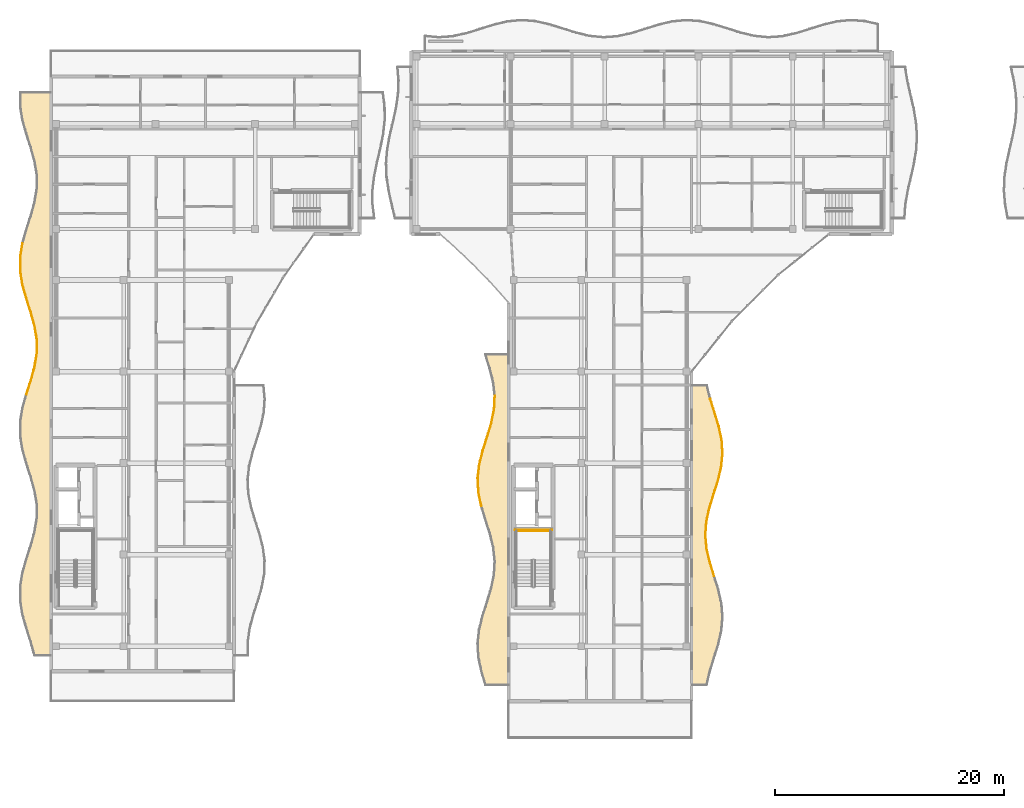
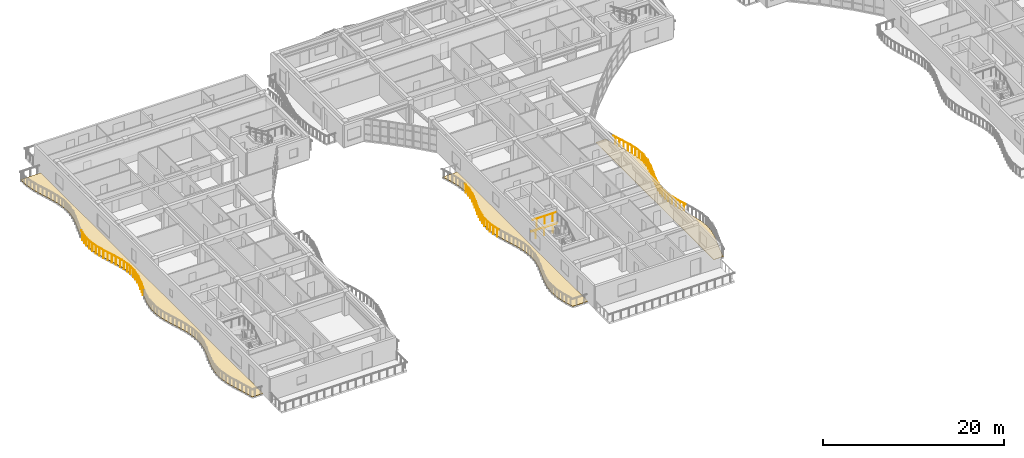
# One storey, part 51 of 71: 34 railings, 3 coverings.
"""IFC4 building model written with IfcOpenShell, lengths in metres."""

from ifc_helpers import new_model, si_unit, direction, frame, origin, origin_2d, place, context, subcontext, project, spatial, polyline, circle, outline, extrude, material, layer, layer_set, type_object, element, save


model = new_model("IFC4")

# Units and contexts
model_context = context("Model", 3, precision=1e-05, world=origin(), true_north=direction((0.0, 1.0)))
body_context = subcontext(model_context, "Body", "Model", "MODEL_VIEW")
ifc_project = project(units=[si_unit("LENGTHUNIT", "METRE"), si_unit("AREAUNIT", "SQUARE_METRE"), si_unit("VOLUMEUNIT", "CUBIC_METRE"), si_unit("PLANEANGLEUNIT", "RADIAN"), si_unit("MASSUNIT", "GRAM", prefix="KILO")], contexts=[model_context])

# Site, building, storey
site_placement = place(None, origin())
site = spatial("IfcSite", under=ifc_project, at=site_placement, CompositionType="ELEMENT")
building_placement = place(site_placement, origin())
building = spatial("IfcBuilding", under=site, at=building_placement, Name="Keldmere Railside Commons", CompositionType="ELEMENT")
storey_placement = place(building_placement, frame((0.0, 0.0, 20.159912109375)))
storey = spatial("IfcBuildingStorey", under=building, at=storey_placement, Name="L06", CompositionType="ELEMENT", Elevation=20.159912109375)

# Railings
ifc_material_1 = material(Name="Steel F-24 (S235)", Category="steel")
railing_type_1 = type_object("IfcRailingType", Name="Balcony & Terrace Steel Balustrade 1100", PredefinedType="BALUSTRADE", material=ifc_material_1)
railing_1_placement = place(storey_placement, frame((5.857421875, 86.0, 0.0)))
element("IfcRailing", 1, at=railing_1_placement, inside=storey, type_object=railing_type_1, Name="GR-1 GRD-L06-0654", PredefinedType="BALUSTRADE", context=body_context, shape_type="SweptSolid", body=[
    extrude(circle(Radius=0.02392578125, at=origin_2d()), frame((0.0, 0.0, 1.076171875), z_axis=(0.307794514865, 0.9514528557, 0.0), x_axis=(-0.9514528557, 0.307794514865, 0.0)), (0.0, 0.0, 1.0), 1.26123046875),
    extrude(circle(Radius=0.02099609375, at=origin_2d()), frame((0.09716796875, 0.300048828125, 0.0)), (0.0, 0.0, 1.0), 1.048095703125),
    extrude(circle(Radius=0.02099609375, at=origin_2d()), frame((0.291015625, 0.89990234375, 0.0)), (0.0, 0.0, 1.0), 1.048095703125),
])
railing_2_placement = place(storey_placement, frame((6.24560546875, 87.199951171875, 0.0)))
element("IfcRailing", 2, at=railing_2_placement, inside=storey, type_object=railing_type_1, Name="GR-1 GRD-L06-0655", PredefinedType="BALUSTRADE", context=body_context, shape_type="SweptSolid", body=[
    extrude(circle(Radius=0.02392578125, at=origin_2d()), frame((0.0, 0.0, 1.076171875), z_axis=(0.269593588983, 0.962974193205, 0.0), x_axis=(-0.962974193205, 0.269593588983, 0.0)), (0.0, 0.0, 1.0), 1.24609375),
    extrude(circle(Radius=0.02099609375, at=origin_2d()), frame((0.083984375, 0.300048828125, 0.0)), (0.0, 0.0, 1.0), 1.048095703125),
    extrude(circle(Radius=0.02099609375, at=origin_2d()), frame((0.251953125, 0.89990234375, 0.0)), (0.0, 0.0, 1.0), 1.048095703125),
])
railing_3_placement = place(storey_placement, frame((6.58154296875, 88.39990234375, 0.0)))
element("IfcRailing", 3, at=railing_3_placement, inside=storey, type_object=railing_type_1, Name="GR-1 GRD-L06-0656", PredefinedType="BALUSTRADE", context=body_context, shape_type="SweptSolid", body=[
    extrude(circle(Radius=0.02392578125, at=origin_2d()), frame((0.0, 0.0, 1.076171875), z_axis=(0.159055642602, 0.987269619991, 0.0), x_axis=(-0.987269619991, 0.159055642602, 0.0)), (0.0, 0.0, 1.0), 1.215576171875),
    extrude(circle(Radius=0.02099609375, at=origin_2d()), frame((0.04833984375, 0.300048828125, 0.0)), (0.0, 0.0, 1.0), 1.048095703125),
    extrude(circle(Radius=0.02099609375, at=origin_2d()), frame((0.14501953125, 0.900146484375, 0.0)), (0.0, 0.0, 1.0), 1.048095703125),
])
railing_4_placement = place(storey_placement, frame((6.77490234375, 89.60009765625, 0.0)))
element("IfcRailing", 4, at=railing_4_placement, inside=storey, type_object=railing_type_1, Name="GR-1 GRD-L06-0657", PredefinedType="BALUSTRADE", context=body_context, shape_type="SweptSolid", body=[
    extrude(circle(Radius=0.02392578125, at=origin_2d()), frame((0.0, 0.0, 1.076171875), z_axis=(-0.000813834929, 0.999999668836, 0.0), x_axis=(-0.999999668836, -0.000813834929, 0.0)), (0.0, 0.0, 1.0), 1.199951171875),
    extrude(circle(Radius=0.02099609375, at=origin_2d()), frame((-0.000244140625, 0.300048828125, 0.0)), (0.0, 0.0, 1.0), 1.048095703125),
    extrude(circle(Radius=0.02099609375, at=origin_2d()), frame((-0.000732421875, 0.89990234375, 0.0)), (0.0, 0.0, 1.0), 1.048095703125),
])
railing_5_placement = place(storey_placement, frame((6.77392578125, 90.800048828125, 0.0)))
element("IfcRailing", 5, at=railing_5_placement, inside=storey, type_object=railing_type_1, Name="GR-1 GRD-L06-0658", PredefinedType="BALUSTRADE", context=body_context, shape_type="SweptSolid", body=[
    extrude(circle(Radius=0.02392578125, at=origin_2d()), frame((0.0, 0.0, 1.076171875), z_axis=(-0.160261550054, 0.987074584606, 0.0), x_axis=(-0.987074584606, -0.160261550054, 0.0)), (0.0, 0.0, 1.0), 1.215576171875),
    extrude(circle(Radius=0.02099609375, at=origin_2d()), frame((-0.048828125, 0.300048828125, 0.0)), (0.0, 0.0, 1.0), 1.048095703125),
    extrude(circle(Radius=0.02099609375, at=origin_2d()), frame((-0.14599609375, 0.89990234375, 0.0)), (0.0, 0.0, 1.0), 1.048095703125),
])
railing_6_placement = place(storey_placement, frame((6.5791015625, 92.0, 0.0)))
element("IfcRailing", 6, at=railing_6_placement, inside=storey, type_object=railing_type_1, Name="GR-1 GRD-L06-0659", PredefinedType="BALUSTRADE", context=body_context, shape_type="SweptSolid", body=[
    extrude(circle(Radius=0.02392578125, at=origin_2d()), frame((0.0, 0.0, 1.076171875), z_axis=(-0.270138516063, 0.962821469505, 0.0), x_axis=(-0.962821469505, -0.270138516063, 0.0)), (0.0, 0.0, 1.0), 1.246337890625),
    extrude(circle(Radius=0.02099609375, at=origin_2d()), frame((-0.084228515625, 0.300048828125, 0.0)), (0.0, 0.0, 1.0), 1.048095703125),
    extrude(circle(Radius=0.02099609375, at=origin_2d()), frame((-0.25244140625, 0.89990234375, 0.0)), (0.0, 0.0, 1.0), 1.048095703125),
])
railing_7_placement = place(storey_placement, frame((6.242431640625, 93.199951171875, 0.0)))
element("IfcRailing", 7, at=railing_7_placement, inside=storey, type_object=railing_type_1, Name="GR-1 GRD-L06-0660", PredefinedType="BALUSTRADE", context=body_context, shape_type="SweptSolid", body=[
    extrude(circle(Radius=0.02392578125, at=origin_2d()), frame((0.0, 0.0, 1.076171875), z_axis=(-0.307794514865, 0.9514528557, 0.0), x_axis=(-0.9514528557, -0.307794514865, 0.0)), (0.0, 0.0, 1.0), 1.26123046875),
    extrude(circle(Radius=0.02099609375, at=origin_2d()), frame((-0.09716796875, 0.300048828125, 0.0)), (0.0, 0.0, 1.0), 1.048095703125),
    extrude(circle(Radius=0.02099609375, at=origin_2d()), frame((-0.291015625, 0.89990234375, 0.0)), (0.0, 0.0, 1.0), 1.048095703125),
])
railing_8_placement = place(storey_placement, frame((5.854248046875, 94.39990234375, 0.0)))
element("IfcRailing", 8, at=railing_8_placement, inside=storey, type_object=railing_type_1, Name="GR-1 GRD-L06-0661", PredefinedType="BALUSTRADE", context=body_context, shape_type="SweptSolid", body=[
    extrude(circle(Radius=0.02392578125, at=origin_2d()), frame((0.0, 0.0, 1.076171875), z_axis=(-0.269361062588, 0.963039260862, 0.0), x_axis=(-0.963039260862, -0.269361062588, 0.0)), (0.0, 0.0, 1.0), 1.246337890625),
    extrude(circle(Radius=0.02099609375, at=origin_2d()), frame((-0.083984375, 0.300048828125, 0.0)), (0.0, 0.0, 1.0), 1.048095703125),
    extrude(circle(Radius=0.02099609375, at=origin_2d()), frame((-0.251708984375, 0.900146484375, 0.0)), (0.0, 0.0, 1.0), 1.048095703125),
])
railing_9_placement = place(storey_placement, frame((5.5185546875, 95.60009765625, 0.0)))
element("IfcRailing", 9, at=railing_9_placement, inside=storey, type_object=railing_type_1, Name="GR-1 GRD-L06-0662", PredefinedType="BALUSTRADE", context=body_context, shape_type="SweptSolid", body=[
    extrude(circle(Radius=0.02392578125, at=origin_2d()), frame((0.0, 0.0, 1.076171875), z_axis=(-0.159087184931, 0.987264537797, 0.0), x_axis=(-0.987264537797, -0.159087184931, 0.0)), (0.0, 0.0, 1.0), 1.21533203125),
    extrude(circle(Radius=0.02099609375, at=origin_2d()), frame((-0.04833984375, 0.300048828125, 0.0)), (0.0, 0.0, 1.0), 1.048095703125),
    extrude(circle(Radius=0.02099609375, at=origin_2d()), frame((-0.14501953125, 0.89990234375, 0.0)), (0.0, 0.0, 1.0), 1.048095703125),
])
railing_10_placement = place(storey_placement, frame((5.3251953125, 96.800048828125, 0.0)))
element("IfcRailing", 10, at=railing_10_placement, inside=storey, type_object=railing_type_1, Name="GR-1 GRD-L06-0663", PredefinedType="BALUSTRADE", context=body_context, shape_type="SweptSolid", body=[
    extrude(circle(Radius=0.02392578125, at=origin_2d()), frame((0.0, 0.0, 1.076171875), z_axis=(0.000610376285, 0.99999981372, 0.0), x_axis=(-0.99999981372, 0.000610376285, 0.0)), (0.0, 0.0, 1.0), 1.199951171875),
    extrude(circle(Radius=0.02099609375, at=origin_2d()), frame((0.000244140625, 0.300048828125, 0.0)), (0.0, 0.0, 1.0), 1.048095703125),
    extrude(circle(Radius=0.02099609375, at=origin_2d()), frame((0.00048828125, 0.89990234375, 0.0)), (0.0, 0.0, 1.0), 1.048095703125),
])
railing_11_placement = place(storey_placement, frame((5.325927734375, 98.0, 0.0)))
element("IfcRailing", 11, at=railing_11_placement, inside=storey, type_object=railing_type_1, Name="GR-1 GRD-L06-0664", PredefinedType="BALUSTRADE", context=body_context, shape_type="SweptSolid", body=[
    extrude(circle(Radius=0.02392578125, at=origin_2d()), frame((0.0, 0.0, 1.076171875), z_axis=(0.160261550054, 0.987074584606, 0.0), x_axis=(-0.987074584606, 0.160261550054, 0.0)), (0.0, 0.0, 1.0), 1.215576171875),
    extrude(circle(Radius=0.02099609375, at=origin_2d()), frame((0.048828125, 0.300048828125, 0.0)), (0.0, 0.0, 1.0), 1.048095703125),
    extrude(circle(Radius=0.02099609375, at=origin_2d()), frame((0.14599609375, 0.89990234375, 0.0)), (0.0, 0.0, 1.0), 1.048095703125),
])
railing_12_placement = place(storey_placement, frame((65.96337890625, 70.127197265625, 0.0)))
element("IfcRailing", 12, at=railing_12_placement, inside=storey, type_object=railing_type_1, Name="GR-1 GRD-L06-1479", PredefinedType="BALUSTRADE", context=body_context, shape_type="SweptSolid", body=[
    extrude(circle(Radius=0.02392578125, at=origin_2d()), frame((0.0, 0.0, 1.076171875), z_axis=(-0.29981134037, 0.953998511627, 0.0), x_axis=(-0.953998511627, -0.29981134037, 0.0)), (0.0, 0.0, 1.0), 1.248291015625),
    extrude(circle(Radius=0.02099609375, at=origin_2d()), frame((-0.093505859375, 0.2978515625, 0.0)), (0.0, 0.0, 1.0), 1.048095703125),
    extrude(circle(Radius=0.02099609375, at=origin_2d()), frame((-0.28076171875, 0.89306640625, 0.0)), (0.0, 0.0, 1.0), 1.048095703125),
])
railing_13_placement = place(storey_placement, frame((65.589111328125, 71.318115234375, 0.0)))
element("IfcRailing", 13, at=railing_13_placement, inside=storey, type_object=railing_type_1, Name="GR-1 GRD-L06-1480", PredefinedType="BALUSTRADE", context=body_context, shape_type="SweptSolid", body=[
    extrude(circle(Radius=0.02392578125, at=origin_2d()), frame((0.0, 0.0, 1.076171875), z_axis=(-0.227948888744, 0.973673099207, 0.0), x_axis=(-0.973673099207, -0.227948888744, 0.0)), (0.0, 0.0, 1.0), 1.22314453125),
    extrude(circle(Radius=0.02099609375, at=origin_2d()), frame((-0.06982421875, 0.2978515625, 0.0)), (0.0, 0.0, 1.0), 1.048095703125),
    extrude(circle(Radius=0.02099609375, at=origin_2d()), frame((-0.208984375, 0.89306640625, 0.0)), (0.0, 0.0, 1.0), 1.048095703125),
])
railing_14_placement = place(storey_placement, frame((65.310302734375, 72.509033203125, 0.0)))
element("IfcRailing", 14, at=railing_14_placement, inside=storey, type_object=railing_type_1, Name="GR-1 GRD-L06-1481", PredefinedType="BALUSTRADE", context=body_context, shape_type="SweptSolid", body=[
    extrude(circle(Radius=0.02392578125, at=origin_2d()), frame((0.0, 0.0, 1.076171875), z_axis=(-0.092063278903, 0.995753158508, 0.0), x_axis=(-0.995753158508, -0.092063278903, 0.0)), (0.0, 0.0, 1.0), 1.196044921875),
    extrude(circle(Radius=0.02099609375, at=origin_2d()), frame((-0.027587890625, 0.2978515625, 0.0)), (0.0, 0.0, 1.0), 1.048095703125),
    extrude(circle(Radius=0.02099609375, at=origin_2d()), frame((-0.08251953125, 0.89306640625, 0.0)), (0.0, 0.0, 1.0), 1.048095703125),
])
railing_15_placement = place(storey_placement, frame((65.2001953125, 73.699951171875, 0.0)))
element("IfcRailing", 15, at=railing_15_placement, inside=storey, type_object=railing_type_1, Name="GR-1 GRD-L06-1482", PredefinedType="BALUSTRADE", context=body_context, shape_type="SweptSolid", body=[
    extrude(circle(Radius=0.02392578125, at=origin_2d()), frame((0.0, 0.0, 1.076171875), z_axis=(0.073803909574, 0.997272772581, 0.0), x_axis=(-0.997272772581, 0.073803909574, 0.0)), (0.0, 0.0, 1.0), 1.194091796875),
    extrude(circle(Radius=0.02099609375, at=origin_2d()), frame((0.02197265625, 0.2978515625, 0.0)), (0.0, 0.0, 1.0), 1.048095703125),
    extrude(circle(Radius=0.02099609375, at=origin_2d()), frame((0.066162109375, 0.89306640625, 0.0)), (0.0, 0.0, 1.0), 1.048095703125),
])
railing_16_placement = place(storey_placement, frame((65.288330078125, 74.890869140625, 0.0)))
element("IfcRailing", 16, at=railing_16_placement, inside=storey, type_object=railing_type_1, Name="GR-1 GRD-L06-1483", PredefinedType="BALUSTRADE", context=body_context, shape_type="SweptSolid", body=[
    extrude(circle(Radius=0.02392578125, at=origin_2d()), frame((0.0, 0.0, 1.076171875), z_axis=(0.215213127789, 0.976567104518, 0.0), x_axis=(-0.976567104518, 0.215213127789, 0.0)), (0.0, 0.0, 1.0), 1.219482421875),
    extrude(circle(Radius=0.02099609375, at=origin_2d()), frame((0.065673828125, 0.2978515625, 0.0)), (0.0, 0.0, 1.0), 1.048095703125),
    extrude(circle(Radius=0.02099609375, at=origin_2d()), frame((0.19677734375, 0.89306640625, 0.0)), (0.0, 0.0, 1.0), 1.048095703125),
])
railing_17_placement = place(storey_placement, frame((65.55078125, 76.081787109375, 0.0)))
element("IfcRailing", 17, at=railing_17_placement, inside=storey, type_object=railing_type_1, Name="GR-1 GRD-L06-1484", PredefinedType="BALUSTRADE", context=body_context, shape_type="SweptSolid", body=[
    extrude(circle(Radius=0.02392578125, at=origin_2d()), frame((0.0, 0.0, 1.076171875), z_axis=(0.295351777332, 0.955388574155, 0.0), x_axis=(-0.955388574155, 0.295351777332, 0.0)), (0.0, 0.0, 1.0), 1.24658203125),
    extrude(circle(Radius=0.02099609375, at=origin_2d()), frame((0.092041015625, 0.2978515625, 0.0)), (0.0, 0.0, 1.0), 1.048095703125),
    extrude(circle(Radius=0.02099609375, at=origin_2d()), frame((0.276123046875, 0.89306640625, 0.0)), (0.0, 0.0, 1.0), 1.048095703125),
])
railing_18_placement = place(storey_placement, frame((65.9189453125, 77.272705078125, 0.0)))
element("IfcRailing", 18, at=railing_18_placement, inside=storey, type_object=railing_type_1, Name="GR-1 GRD-L06-1485", PredefinedType="BALUSTRADE", context=body_context, shape_type="SweptSolid", body=[
    extrude(circle(Radius=0.02392578125, at=origin_2d()), frame((0.0, 0.0, 1.076171875), z_axis=(0.301234276172, 0.95355016169, 0.0), x_axis=(-0.95355016169, 0.301234276172, 0.0)), (0.0, 0.0, 1.0), 1.2490234375),
    extrude(circle(Radius=0.02099609375, at=origin_2d()), frame((0.093994140625, 0.2978515625, 0.0)), (0.0, 0.0, 1.0), 1.048095703125),
    extrude(circle(Radius=0.02099609375, at=origin_2d()), frame((0.2822265625, 0.89306640625, 0.0)), (0.0, 0.0, 1.0), 1.048095703125),
])
railing_19_placement = place(storey_placement, frame((66.295166015625, 78.463623046875, 0.0)))
element("IfcRailing", 19, at=railing_19_placement, inside=storey, type_object=railing_type_1, Name="GR-1 GRD-L06-1486", PredefinedType="BALUSTRADE", context=body_context, shape_type="SweptSolid", body=[
    extrude(circle(Radius=0.02392578125, at=origin_2d()), frame((0.0, 0.0, 1.076171875), z_axis=(0.232671607619, 0.972555357297, 0.0), x_axis=(-0.972555357297, 0.232671607619, 0.0)), (0.0, 0.0, 1.0), 1.224609375),
    extrude(circle(Radius=0.02099609375, at=origin_2d()), frame((0.0712890625, 0.2978515625, 0.0)), (0.0, 0.0, 1.0), 1.048095703125),
    extrude(circle(Radius=0.02099609375, at=origin_2d()), frame((0.213623046875, 0.89306640625, 0.0)), (0.0, 0.0, 1.0), 1.048095703125),
])
railing_20_placement = place(storey_placement, frame((66.580078125, 79.654541015625, 0.0)))
element("IfcRailing", 20, at=railing_20_placement, inside=storey, type_object=railing_type_1, Name="GR-1 GRD-L06-1487", PredefinedType="BALUSTRADE", context=body_context, shape_type="SweptSolid", body=[
    extrude(circle(Radius=0.02392578125, at=origin_2d()), frame((0.0, 0.0, 1.076171875), z_axis=(0.099342143077, 0.995053334555, 0.0), x_axis=(-0.995053334555, 0.099342143077, 0.0)), (0.0, 0.0, 1.0), 1.19677734375),
    extrude(circle(Radius=0.02099609375, at=origin_2d()), frame((0.02978515625, 0.2978515625, 0.0)), (0.0, 0.0, 1.0), 1.048095703125),
    extrude(circle(Radius=0.02099609375, at=origin_2d()), frame((0.089111328125, 0.89306640625, 0.0)), (0.0, 0.0, 1.0), 1.048095703125),
])
railing_21_placement = place(storey_placement, frame((66.698974609375, 80.845458984375, 0.0)))
element("IfcRailing", 21, at=railing_21_placement, inside=storey, type_object=railing_type_1, Name="GR-1 GRD-L06-1488", PredefinedType="BALUSTRADE", context=body_context, shape_type="SweptSolid", body=[
    extrude(circle(Radius=0.02392578125, at=origin_2d()), frame((0.0, 0.0, 1.076171875), z_axis=(-0.066070976021, 0.997814925789, 0.0), x_axis=(-0.997814925789, -0.066070976021, 0.0)), (0.0, 0.0, 1.0), 1.193603515625),
    extrude(circle(Radius=0.02099609375, at=origin_2d()), frame((-0.019775390625, 0.2978515625, 0.0)), (0.0, 0.0, 1.0), 1.048095703125),
    extrude(circle(Radius=0.02099609375, at=origin_2d()), frame((-0.05908203125, 0.89306640625, 0.0)), (0.0, 0.0, 1.0), 1.048095703125),
])
railing_22_placement = place(storey_placement, frame((66.6201171875, 82.036376953125, 0.0)))
element("IfcRailing", 22, at=railing_22_placement, inside=storey, type_object=railing_type_1, Name="GR-1 GRD-L06-1489", PredefinedType="BALUSTRADE", context=body_context, shape_type="SweptSolid", body=[
    extrude(circle(Radius=0.02392578125, at=origin_2d()), frame((0.0, 0.0, 1.076171875), z_axis=(-0.210240769279, 0.977649640174, 0.0), x_axis=(-0.977649640174, -0.210240769279, 0.0)), (0.0, 0.0, 1.0), 1.21826171875),
    extrude(circle(Radius=0.02099609375, at=origin_2d()), frame((-0.06396484375, 0.2978515625, 0.0)), (0.0, 0.0, 1.0), 1.048095703125),
    extrude(circle(Radius=0.02099609375, at=origin_2d()), frame((-0.192138671875, 0.89306640625, 0.0)), (0.0, 0.0, 1.0), 1.048095703125),
])
railing_23_placement = place(storey_placement, frame((66.364013671875, 83.227294921875, 0.0)))
element("IfcRailing", 23, at=railing_23_placement, inside=storey, type_object=railing_type_1, Name="GR-1 GRD-L06-1490", PredefinedType="BALUSTRADE", context=body_context, shape_type="SweptSolid", body=[
    extrude(circle(Radius=0.02392578125, at=origin_2d()), frame((0.0, 0.0, 1.076171875), z_axis=(-0.293204288716, 0.956049813074, 0.0), x_axis=(-0.956049813074, -0.293204288716, 0.0)), (0.0, 0.0, 1.0), 1.24560546875),
    extrude(circle(Radius=0.02099609375, at=origin_2d()), frame((-0.09130859375, 0.2978515625, 0.0)), (0.0, 0.0, 1.0), 1.048095703125),
    extrude(circle(Radius=0.02099609375, at=origin_2d()), frame((-0.27392578125, 0.89306640625, 0.0)), (0.0, 0.0, 1.0), 1.048095703125),
])
railing_24_placement = place(storey_placement, frame((65.998779296875, 84.418212890625, 0.0)))
element("IfcRailing", 24, at=railing_24_placement, inside=storey, type_object=railing_type_1, Name="GR-1 GRD-L06-1491", PredefinedType="BALUSTRADE", context=body_context, shape_type="SweptSolid", body=[
    extrude(circle(Radius=0.02392578125, at=origin_2d()), frame((0.0, 0.0, 1.076171875), z_axis=(-0.302477696747, 0.953156463006, 0.0), x_axis=(-0.953156463006, -0.302477696747, 0.0)), (0.0, 0.0, 1.0), 1.24951171875),
    extrude(circle(Radius=0.02099609375, at=origin_2d()), frame((-0.094482421875, 0.2978515625, 0.0)), (0.0, 0.0, 1.0), 1.048095703125),
    extrude(circle(Radius=0.02099609375, at=origin_2d()), frame((-0.283447265625, 0.89306640625, 0.0)), (0.0, 0.0, 1.0), 1.048095703125),
])
railing_25_placement = place(storey_placement, frame((45.617919921875, 76.254150390625, 0.0)))
element("IfcRailing", 25, at=railing_25_placement, inside=storey, type_object=railing_type_1, Name="GR-1 GRD-L06-1508", PredefinedType="BALUSTRADE", context=body_context, shape_type="SweptSolid", body=[
    extrude(circle(Radius=0.02392578125, at=origin_2d()), frame((0.0, 0.0, 1.076171875), z_axis=(-0.20271721506, 0.979237320938, 0.0), x_axis=(-0.979237320938, -0.20271721506, 0.0)), (0.0, 0.0, 1.0), 1.229736328125),
    extrude(circle(Radius=0.02099609375, at=origin_2d()), frame((-0.062255859375, 0.301025390625, 0.0)), (0.0, 0.0, 1.0), 1.048095703125),
    extrude(circle(Radius=0.02099609375, at=origin_2d()), frame((-0.18701171875, 0.903076171875, 0.0)), (0.0, 0.0, 1.0), 1.048095703125),
])
railing_26_placement = place(storey_placement, frame((45.36865234375, 77.458251953125, 0.0)))
element("IfcRailing", 26, at=railing_26_placement, inside=storey, type_object=railing_type_1, Name="GR-1 GRD-L06-1509", PredefinedType="BALUSTRADE", context=body_context, shape_type="SweptSolid", body=[
    extrude(circle(Radius=0.02392578125, at=origin_2d()), frame((0.0, 0.0, 1.076171875), z_axis=(-0.054247996797, 0.998527493284, 0.0), x_axis=(-0.998527493284, -0.054247996797, 0.0)), (0.0, 0.0, 1.0), 1.2060546875),
    extrude(circle(Radius=0.02099609375, at=origin_2d()), frame((-0.016357421875, 0.301025390625, 0.0)), (0.0, 0.0, 1.0), 1.048095703125),
    extrude(circle(Radius=0.02099609375, at=origin_2d()), frame((-0.049072265625, 0.9033203125, 0.0)), (0.0, 0.0, 1.0), 1.048095703125),
])
railing_27_placement = place(storey_placement, frame((45.30322265625, 78.66259765625, 0.0)))
element("IfcRailing", 27, at=railing_27_placement, inside=storey, type_object=railing_type_1, Name="GR-1 GRD-L06-1510", PredefinedType="BALUSTRADE", context=body_context, shape_type="SweptSolid", body=[
    extrude(circle(Radius=0.02392578125, at=origin_2d()), frame((0.0, 0.0, 1.076171875), z_axis=(0.112421456348, 0.99366061417, 0.0), x_axis=(-0.99366061417, 0.112421456348, 0.0)), (0.0, 0.0, 1.0), 1.211669921875),
    extrude(circle(Radius=0.02099609375, at=origin_2d()), frame((0.0341796875, 0.301025390625, 0.0)), (0.0, 0.0, 1.0), 1.048095703125),
    extrude(circle(Radius=0.02099609375, at=origin_2d()), frame((0.10205078125, 0.903076171875, 0.0)), (0.0, 0.0, 1.0), 1.048095703125),
])
railing_28_placement = place(storey_placement, frame((45.439453125, 79.86669921875, 0.0)))
element("IfcRailing", 28, at=railing_28_placement, inside=storey, type_object=railing_type_1, Name="GR-1 GRD-L06-1511", PredefinedType="BALUSTRADE", context=body_context, shape_type="SweptSolid", body=[
    extrude(circle(Radius=0.02392578125, at=origin_2d()), frame((0.0, 0.0, 1.076171875), z_axis=(0.242350478925, 0.970188767903, 0.0), x_axis=(-0.970188767903, 0.242350478925, 0.0)), (0.0, 0.0, 1.0), 1.2412109375),
    extrude(circle(Radius=0.02099609375, at=origin_2d()), frame((0.0751953125, 0.301025390625, 0.0)), (0.0, 0.0, 1.0), 1.048095703125),
    extrude(circle(Radius=0.02099609375, at=origin_2d()), frame((0.2255859375, 0.903076171875, 0.0)), (0.0, 0.0, 1.0), 1.048095703125),
])
railing_29_placement = place(storey_placement, frame((45.740234375, 81.07080078125, 0.0)))
element("IfcRailing", 29, at=railing_29_placement, inside=storey, type_object=railing_type_1, Name="GR-1 GRD-L06-1512", PredefinedType="BALUSTRADE", context=body_context, shape_type="SweptSolid", body=[
    extrude(circle(Radius=0.02392578125, at=origin_2d()), frame((0.0, 0.0, 1.076171875), z_axis=(0.304032714058, 0.952661591953, 0.0), x_axis=(-0.952661591953, 0.304032714058, 0.0)), (0.0, 0.0, 1.0), 1.263916015625),
    extrude(circle(Radius=0.02099609375, at=origin_2d()), frame((0.09619140625, 0.301025390625, 0.0)), (0.0, 0.0, 1.0), 1.048095703125),
    extrude(circle(Radius=0.02099609375, at=origin_2d()), frame((0.2880859375, 0.903076171875, 0.0)), (0.0, 0.0, 1.0), 1.048095703125),
])
railing_30_placement = place(storey_placement, frame((46.12451171875, 82.27490234375, 0.0)))
element("IfcRailing", 30, at=railing_30_placement, inside=storey, type_object=railing_type_1, Name="GR-1 GRD-L06-1513", PredefinedType="BALUSTRADE", context=body_context, shape_type="SweptSolid", body=[
    extrude(circle(Radius=0.02392578125, at=origin_2d()), frame((0.0, 0.0, 1.076171875), z_axis=(0.289501132284, 0.957177671285, 0.0), x_axis=(-0.957177671285, 0.289501132284, 0.0)), (0.0, 0.0, 1.0), 1.25830078125),
    extrude(circle(Radius=0.02099609375, at=origin_2d()), frame((0.091064453125, 0.301025390625, 0.0)), (0.0, 0.0, 1.0), 1.048095703125),
    extrude(circle(Radius=0.02099609375, at=origin_2d()), frame((0.273193359375, 0.9033203125, 0.0)), (0.0, 0.0, 1.0), 1.048095703125),
])
railing_31_placement = place(storey_placement, frame((46.48876953125, 83.479248046875, 0.0)))
element("IfcRailing", 31, at=railing_31_placement, inside=storey, type_object=railing_type_1, Name="GR-1 GRD-L06-1514", PredefinedType="BALUSTRADE", context=body_context, shape_type="SweptSolid", body=[
    extrude(circle(Radius=0.02392578125, at=origin_2d()), frame((0.0, 0.0, 1.076171875), z_axis=(0.200049530794, 0.979785785378, 0.0), x_axis=(-0.979785785378, 0.200049530794, 0.0)), (0.0, 0.0, 1.0), 1.22900390625),
    extrude(circle(Radius=0.02099609375, at=origin_2d()), frame((0.0615234375, 0.301025390625, 0.0)), (0.0, 0.0, 1.0), 1.048095703125),
    extrude(circle(Radius=0.02099609375, at=origin_2d()), frame((0.184326171875, 0.903076171875, 0.0)), (0.0, 0.0, 1.0), 1.048095703125),
])
railing_32_placement = place(storey_placement, frame((46.734619140625, 84.683349609375, 0.0)))
element("IfcRailing", 32, at=railing_32_placement, inside=storey, type_object=railing_type_1, Name="GR-1 GRD-L06-1515", PredefinedType="BALUSTRADE", context=body_context, shape_type="SweptSolid", body=[
    extrude(circle(Radius=0.02392578125, at=origin_2d()), frame((0.0, 0.0, 1.076171875), z_axis=(0.050826355209, 0.998707505537, 0.0), x_axis=(-0.998707505537, 0.050826355209, 0.0)), (0.0, 0.0, 1.0), 1.20556640625),
    extrude(circle(Radius=0.02099609375, at=origin_2d()), frame((0.015380859375, 0.301025390625, 0.0)), (0.0, 0.0, 1.0), 1.048095703125),
    extrude(circle(Radius=0.02099609375, at=origin_2d()), frame((0.0458984375, 0.903076171875, 0.0)), (0.0, 0.0, 1.0), 1.048095703125),
])
railing_type_2 = type_object("IfcRailingType", Name="Stair Well Steel Guardrail 1100", PredefinedType="BALUSTRADE", material=ifc_material_1)
railing_33_placement = place(storey_placement, frame((51.699951171875, 74.050048828125, 1.60009765625)))
element("IfcRailing", 33, at=railing_33_placement, inside=storey, type_object=railing_type_2, Name="L06 ST-C1 stair guard 5", PredefinedType="BALUSTRADE", context=body_context, shape_type="SweptSolid", body=[
    extrude(circle(Radius=0.02392578125, at=origin_2d()), frame((0.0, 0.0, 1.076171875), z_axis=(-1.0, 0.0, 0.0), x_axis=(0.0, -1.0, 0.0)), (0.0, 0.0, 1.0), 3.050048828125),
    extrude(circle(Radius=0.02099609375, at=origin_2d()), frame((-0.50830078125, 0.0, 0.0)), (0.0, 0.0, 1.0), 1.048095703125),
    extrude(circle(Radius=0.02099609375, at=origin_2d()), frame((-1.52490234375, 0.0, 0.0)), (0.0, 0.0, 1.0), 1.048095703125),
    extrude(circle(Radius=0.02099609375, at=origin_2d()), frame((-2.541748046875, 0.0, 0.0)), (0.0, 0.0, 1.0), 1.048095703125),
])
railing_34_placement = place(storey_placement, frame((51.800048828125, 74.14990234375, 0.0)))
element("IfcRailing", 34, at=railing_34_placement, inside=storey, type_object=railing_type_2, Name="L06 ST-C1 stair guard 12", PredefinedType="BALUSTRADE", context=body_context, shape_type="SweptSolid", body=[
    extrude(circle(Radius=0.02392578125, at=origin_2d()), frame((0.0, 0.0, 1.076171875), z_axis=(-1.0, 0.0, 0.0), x_axis=(0.0, -1.0, 0.0)), (0.0, 0.0, 1.0), 3.25),
    extrude(circle(Radius=0.02099609375, at=origin_2d()), frame((-0.541748046875, 0.0, 0.0)), (0.0, 0.0, 1.0), 1.048095703125),
    extrude(circle(Radius=0.02099609375, at=origin_2d()), frame((-1.625, 0.0, 0.0)), (0.0, 0.0, 1.0), 1.048095703125),
    extrude(circle(Radius=0.02099609375, at=origin_2d()), frame((-2.708251953125, 0.0, 0.0)), (0.0, 0.0, 1.0), 1.048095703125),
])

# Coverings
ifc_material_2 = material(Name="White Precast Concrete C35/45", Category="concrete")
ifc_layer = layer(ifc_material_2, 0.044921875, Name="White Architectural Balcony Ribbon Cladding 45")
ifc_layer_set = layer_set([ifc_layer], Name="White Precast Concrete C35/45")
covering_type = type_object("IfcCoveringType", Name="White Architectural Balcony Ribbon Cladding 45", PredefinedType="FLOORING", material=ifc_layer_set)
covering_1_placement = place(storey_placement, origin())
element("IfcCovering", 35, at=covering_1_placement, inside=storey, type_object=covering_type, Name="CLG-WB D L06 CW White Balcony Ribbon", PredefinedType="FLOORING", context=body_context, shape_type="SweptSolid", body=[
    extrude(outline(polyline([(7.9599609375, 112.360107421875), (5.365966796875, 112.360107421875), (5.364990234375, 111.203125), (5.5576171875, 110.008544921875), (5.892578125, 108.8115234375), (6.280517578125, 107.6123046875), (6.281005859375, 107.61083984375), (6.61767578125, 106.410888671875), (6.61865234375, 106.406494140625), (6.8134765625, 105.206298828125), (6.81396484375, 105.203125), (6.81396484375, 105.199951171875), (6.81494140625, 104.0), (6.814697265625, 103.996826171875), (6.814453125, 103.99365234375), (6.62109375, 102.793701171875), (6.6201171875, 102.789306640625), (6.2841796875, 101.589111328125), (6.28369140625, 101.587646484375), (5.895751953125, 100.388427734375), (5.559814453125, 99.19140625), (5.365966796875, 97.996826171875), (5.364990234375, 96.80322265625), (5.5576171875, 95.608642578125), (5.892578125, 94.41162109375), (6.280517578125, 93.21240234375), (6.281005859375, 93.210693359375), (6.61767578125, 92.0107421875), (6.61865234375, 92.00634765625), (6.8134765625, 90.806396484375), (6.81396484375, 90.80322265625), (6.81396484375, 90.800048828125), (6.81494140625, 89.60009765625), (6.814697265625, 89.5966796875), (6.814453125, 89.593505859375), (6.62109375, 88.3935546875), (6.6201171875, 88.38916015625), (6.2841796875, 87.189208984375), (6.28369140625, 87.187744140625), (5.895751953125, 85.98828125), (5.559814453125, 84.79150390625), (5.365966796875, 83.5966796875), (5.364990234375, 82.4033203125), (5.5576171875, 81.20849609375), (5.892578125, 80.01171875), (6.280517578125, 78.812255859375), (6.281005859375, 78.810791015625), (6.61767578125, 77.61083984375), (6.61865234375, 77.6064453125), (6.8134765625, 76.406494140625), (6.81396484375, 76.4033203125), (6.81396484375, 76.39990234375), (6.81494140625, 75.199951171875), (6.814697265625, 75.19677734375), (6.814453125, 75.193603515625), (6.62109375, 73.99365234375), (6.6201171875, 73.9892578125), (6.2841796875, 72.789306640625), (6.28369140625, 72.78759765625), (5.895751953125, 71.58837890625), (5.559814453125, 70.391357421875), (5.365966796875, 69.19677734375), (5.364990234375, 68.003173828125), (5.5576171875, 66.80859375), (5.892578125, 65.611572265625), (6.280517578125, 64.412353515625), (6.281005859375, 64.410888671875), (6.609619140625, 63.239990234375), (7.9599609375, 63.239990234375), (7.9599609375, 112.360107421875)])), origin(), (0.0, 0.0, 1.0), 0.045166015625),
])
covering_2_placement = place(storey_placement, origin())
element("IfcCovering", 36, at=covering_2_placement, inside=storey, type_object=covering_type, Name="CLG-WB C L06 CE White Balcony Ribbon", PredefinedType="FLOORING", context=body_context, shape_type="SweptSolid", body=[
    extrude(outline(polyline([(65.54248046875, 61.7998046875), (65.543212890625, 61.802978515625), (65.91650390625, 62.99365234375), (66.287841796875, 64.18310546875), (66.55908203125, 65.369873046875), (66.659912109375, 66.5546875), (66.563720703125, 67.739501953125), (66.295166015625, 68.926025390625), (65.925048828125, 70.115478515625), (65.551025390625, 71.30615234375), (65.55029296875, 71.30908203125), (65.271484375, 72.5), (65.2705078125, 72.50537109375), (65.160400390625, 73.6962890625), (65.160400390625, 73.69970703125), (65.160400390625, 73.702880859375), (65.248291015625, 74.893798828125), (65.249267578125, 74.8994140625), (65.51171875, 76.09033203125), (65.5126953125, 76.093505859375), (65.880615234375, 77.284423828125), (65.880859375, 77.28466796875), (66.256591796875, 78.474365234375), (66.540771484375, 79.6611328125), (66.65869140625, 80.84619140625), (66.580322265625, 82.03076171875), (66.325439453125, 83.21728515625), (65.960693359375, 84.40625), (65.582763671875, 85.596923828125), (65.58203125, 85.599609375), (65.29833984375, 86.760009765625), (64.0400390625, 86.760009765625), (64.0400390625, 60.639892578125), (65.27392578125, 60.639892578125), (65.54248046875, 61.7998046875)])), origin(), (0.0, 0.0, 1.0), 0.045166015625),
])
covering_3_placement = place(storey_placement, origin())
element("IfcCovering", 37, at=covering_3_placement, inside=storey, type_object=covering_type, Name="CLG-WB C L06 CW White Balcony Ribbon", PredefinedType="FLOORING", context=body_context, shape_type="SweptSolid", body=[
    extrude(outline(polyline([(47.9599609375, 89.4599609375), (46.022216796875, 89.4599609375), (46.390380859375, 88.30810546875), (46.39111328125, 88.3056640625), (46.694580078125, 87.1015625), (46.695556640625, 87.09619140625), (46.835693359375, 85.89208984375), (46.8359375, 85.888916015625), (46.835693359375, 85.885498046875), (46.774658203125, 84.681396484375), (46.7744140625, 84.67822265625), (46.77392578125, 84.67529296875), (46.528076171875, 83.47119140625), (46.527099609375, 83.467529296875), (46.162841796875, 82.263427734375), (46.16259765625, 82.2626953125), (45.77880859375, 81.059814453125), (45.478759765625, 79.859619140625), (45.343505859375, 78.661376953125), (45.408447265625, 77.46337890625), (45.65673828125, 76.26416015625), (46.021728515625, 75.06201171875), (46.405517578125, 73.85791015625), (46.406005859375, 73.85546875), (46.7041015625, 72.6513671875), (46.705078125, 72.64599609375), (46.837158203125, 71.44189453125), (46.83740234375, 71.4384765625), (46.83740234375, 71.435302734375), (46.767578125, 70.23095703125), (46.767578125, 70.22802734375), (46.766845703125, 70.22509765625), (46.514404296875, 69.02099609375), (46.513671875, 69.017578125), (46.146484375, 67.813232421875), (46.146240234375, 67.81298828125), (45.763916015625, 66.610107421875), (45.469482421875, 65.409912109375), (45.342041015625, 64.211669921875), (45.415283203125, 63.013671875), (45.670166015625, 61.814208984375), (46.029541015625, 60.639892578125), (47.9599609375, 60.639892578125), (47.9599609375, 89.4599609375)])), origin(), (0.0, 0.0, 1.0), 0.045166015625),
])

save(model, "model.ifc")
